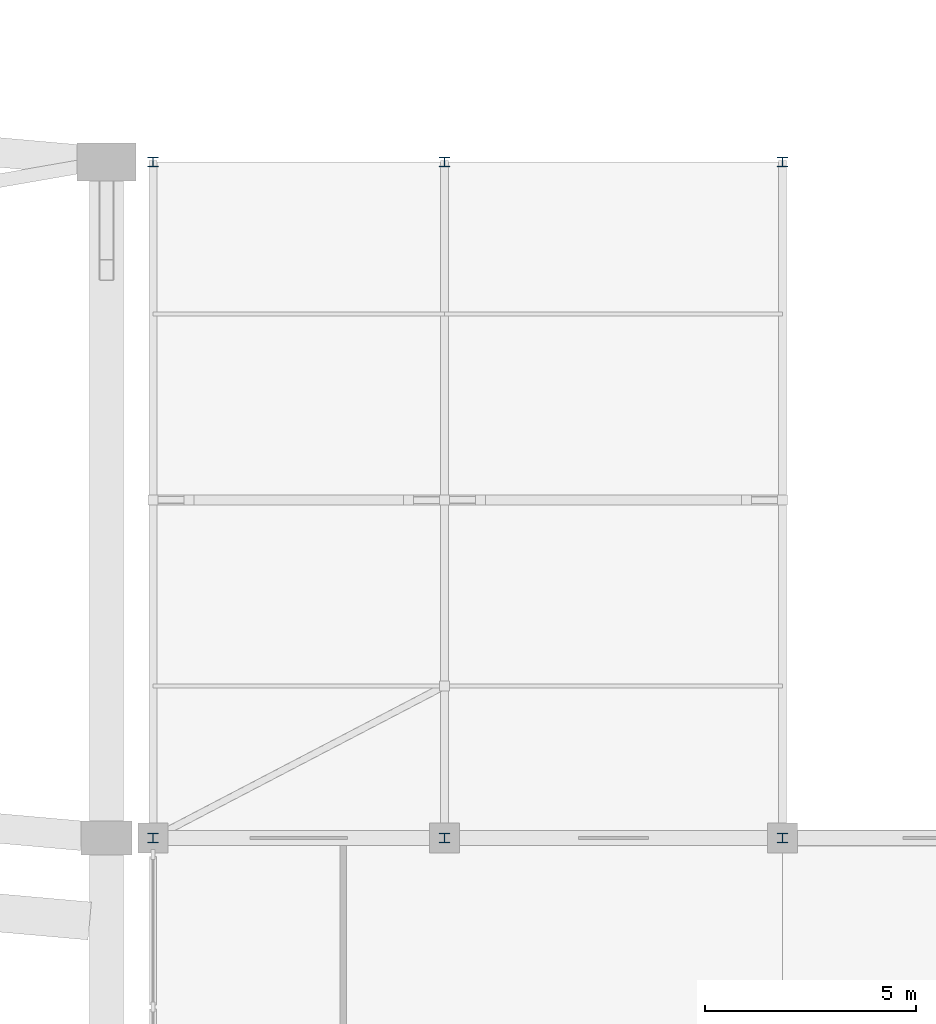
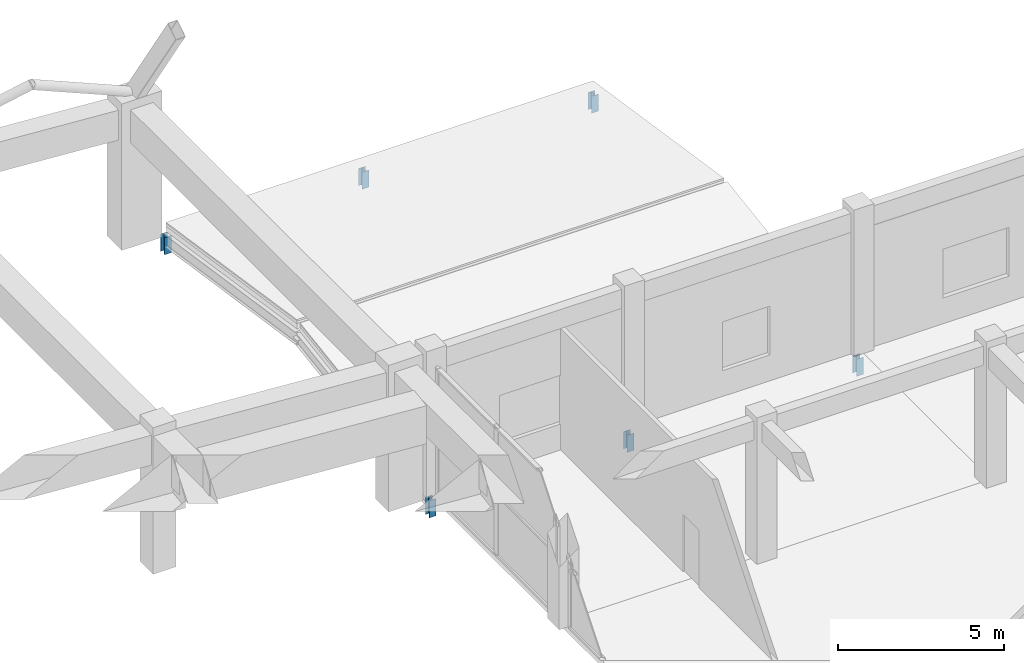
# One storey, part 40 of 69: 6 members.
"""IFC4 building model written with IfcOpenShell, lengths in metres."""

from ifc_helpers import new_model, si_unit, direction, frame, origin, origin_2d, place, context, subcontext, project, spatial, i_section, extrude, material, material_profile, profile_set, type_object, element, save


model = new_model("IFC4")

# Units and contexts
model_context = context("Model", 3, precision=1e-05, world=origin(), true_north=direction((0.0, 1.0)))
body_context = subcontext(model_context, "Body", "Model", "MODEL_VIEW")
ifc_project = project(units=[si_unit("LENGTHUNIT", "METRE"), si_unit("AREAUNIT", "SQUARE_METRE"), si_unit("VOLUMEUNIT", "CUBIC_METRE"), si_unit("PLANEANGLEUNIT", "RADIAN"), si_unit("MASSUNIT", "GRAM", prefix="KILO")], contexts=[model_context])

# Site, building, storey
site_placement = place(None, origin())
site = spatial("IfcSite", under=ifc_project, at=site_placement, CompositionType="ELEMENT")
building_placement = place(site_placement, origin())
building = spatial("IfcBuilding", under=site, at=building_placement, Name="Kenh Van Central Station", CompositionType="ELEMENT")
storey_placement = place(building_placement, frame((0.0, 0.0, 5.39990234375)))
storey = spatial("IfcBuildingStorey", under=building, at=storey_placement, Name="L01", CompositionType="ELEMENT", Elevation=5.39990234375)

# Members
ifc_material = material(Name="Steel S355", Category="steel")
ifc_material_profile = material_profile(ifc_material, i_section(OverallWidth=0.239990234375, OverallDepth=0.22998046875, WebThickness=0.007568359375, FlangeThickness=0.011962890625, FilletRadius=0.02099609375, at=origin_2d()), Name="HEA 240")
ifc_profile_set = profile_set([ifc_material_profile], Name="Steel S355")
member_type = type_object("IfcMemberType", Name="MEM-ROOF-POST240", PredefinedType="POST", material=ifc_profile_set)
for number, where, z_axis, x_axis, name in (
    (1, (145.10009765625, 96.0, -0.949951171875), (0.0, 0.0, 1.0), (1.0, 0.0, 0.0), "L01 roof eave post 145"),
    (2, (145.10009765625, 112.0, -0.949951171875), (0.0, 0.0, 1.0), (1.0, 0.0, 0.0), "L01 roof eave post 145"),
    (3, (152.0, 96.0, -0.949951171875), (0.0, 0.0, 1.0), (1.0, 0.0, 0.0), "L01 roof eave post 147"),
    (4, (152.0, 112.0, -0.949951171875), (0.0, 0.0, 1.0), (1.0, 0.0, 0.0), "L01 roof eave post 147"),
    (5, (160.0, 96.0, -0.949951171875), (0.0, 0.0, 1.0), (1.0, 0.0, 0.0), "L01 roof eave post 149"),
    (6, (160.0, 112.0, -0.949951171875), (0.0, 0.0, 1.0), (1.0, 0.0, 0.0), "L01 roof eave post 149"),
):
    element("IfcMember", number, at=place(storey_placement, frame(where, z_axis=z_axis, x_axis=x_axis)), inside=storey, type_object=member_type, Name=name, PredefinedType="POST", context=body_context, shape_type="SweptSolid", body=[
        extrude(i_section(OverallWidth=0.239990234375, OverallDepth=0.22998046875, WebThickness=0.007568359375, FlangeThickness=0.011962890625, FilletRadius=0.02099609375, at=origin_2d()), origin(), (0.0, 0.0, 1.0), 0.630126953125),
    ])

save(model, "model.ifc")
